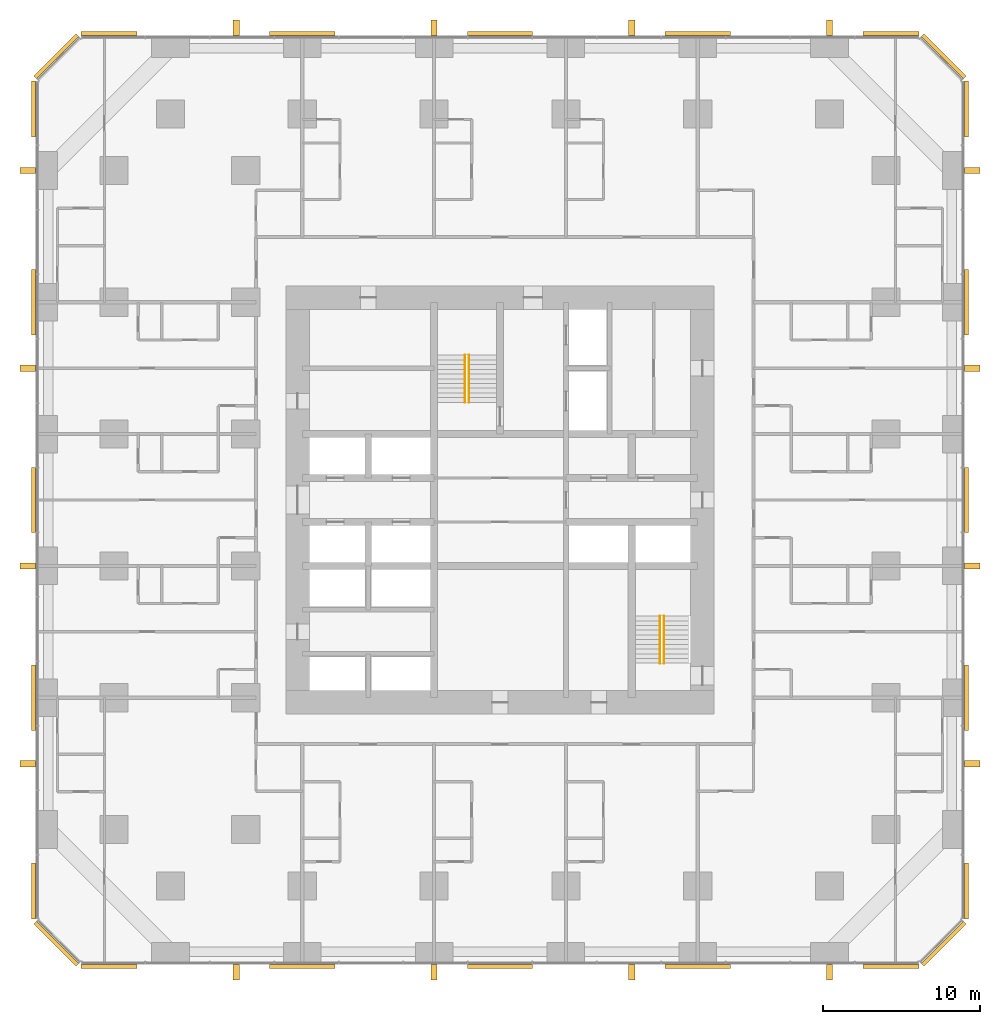
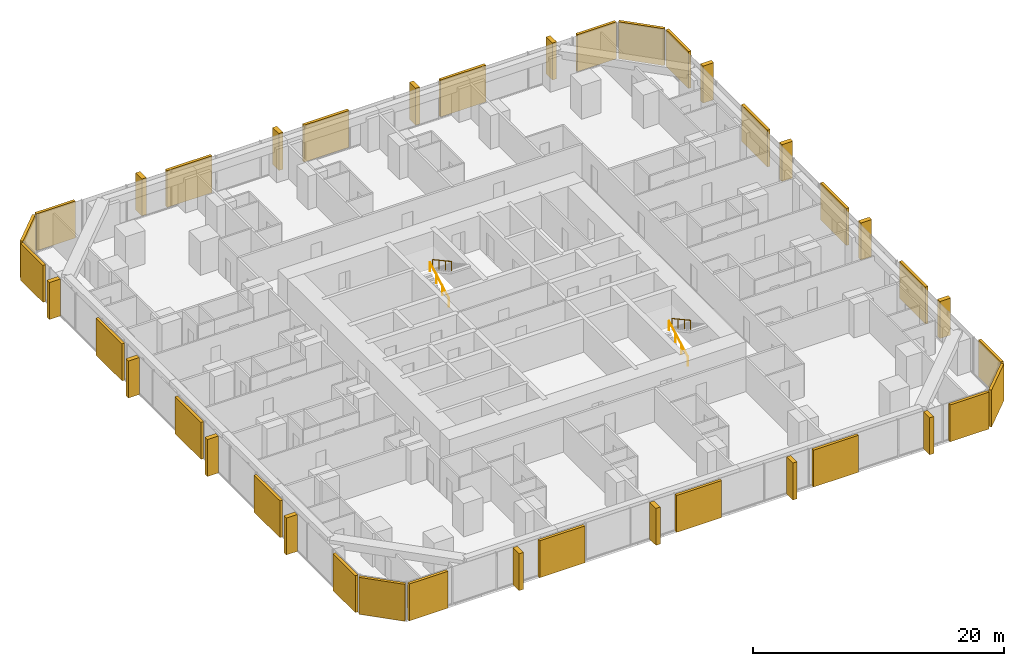
# One storey, part 17 of 17: 24 coverings, 16 shading devices, 4 railings.
"""IFC4 building model written with IfcOpenShell, lengths in metres."""

from ifc_helpers import new_model, si_unit, direction, frame, origin, origin_2d, place, context, subcontext, project, spatial, rectangle, circle, extrude, material, layer, layer_set, type_object, element, save


model = new_model("IFC4")

# Units and contexts
model_context = context("Model", 3, precision=1e-05, world=origin(), true_north=direction((0.0, 1.0)))
body_context = subcontext(model_context, "Body", "Model", "MODEL_VIEW")
ifc_project = project(units=[si_unit("LENGTHUNIT", "METRE"), si_unit("AREAUNIT", "SQUARE_METRE"), si_unit("VOLUMEUNIT", "CUBIC_METRE"), si_unit("PLANEANGLEUNIT", "RADIAN"), si_unit("MASSUNIT", "GRAM", prefix="KILO")], contexts=[model_context])

# Site, building, storey
site_placement = place(None, origin())
site = spatial("IfcSite", under=ifc_project, at=site_placement, CompositionType="ELEMENT")
building_placement = place(site_placement, origin())
building = spatial("IfcBuilding", under=site, at=building_placement, Name="Dunama Terrace Hotel", CompositionType="ELEMENT")
storey_placement = place(building_placement, frame((0.0, 0.0, 55.800048828125)))
storey = spatial("IfcBuildingStorey", under=building, at=storey_placement, Name="L13", CompositionType="ELEMENT", Elevation=55.800048828125)

# Railings
ifc_material_1 = material(Name="Stainless steel handrail", Category="steel")
railing_type = type_object("IfcRailingType", Name="Stair handrail 900", PredefinedType="HANDRAIL", material=ifc_material_1)
railing_1_placement = place(storey_placement, frame((27.175048828125, 35.625, 0.16357421875)))
element("IfcRailing", 1, at=railing_1_placement, inside=storey, type_object=railing_type, Name="Handrail ST1 L13", PredefinedType="HANDRAIL", context=body_context, shape_type="SweptSolid", body=[
    extrude(circle(Radius=0.02392578125, at=origin_2d()), frame((0.0, 0.0, 0.8759765625), z_axis=(0.0, 0.877881921179, 0.478877158013), x_axis=(-1.0, 0.0, 0.0)), (0.0, 0.0, 1.0), 3.417236328125),
    extrude(circle(Radius=0.02099609375, at=origin_2d()), origin(), (0.0, 0.0, 1.0), 0.851806640625),
    extrude(circle(Radius=0.02099609375, at=origin_2d()), frame((0.0, 1.0, 0.54541015625)), (0.0, 0.0, 1.0), 0.851806640625),
    extrude(circle(Radius=0.02099609375, at=origin_2d()), frame((0.0, 2.0, 1.091064453125)), (0.0, 0.0, 1.0), 0.851806640625),
    extrude(circle(Radius=0.02099609375, at=origin_2d()), frame((0.0, 3.0, 1.636474609375)), (0.0, 0.0, 1.0), 0.851806640625),
])
railing_2_placement = place(storey_placement, frame((27.425048828125, 38.625, 1.963623046875)))
element("IfcRailing", 2, at=railing_2_placement, inside=storey, type_object=railing_type, Name="Handrail ST1 L13", PredefinedType="HANDRAIL", context=body_context, shape_type="SweptSolid", body=[
    extrude(circle(Radius=0.02392578125, at=origin_2d()), frame((0.0, 0.0, 0.8759765625), z_axis=(0.0, -0.877911954615, 0.47882209634), x_axis=(1.0, 0.0, 0.0)), (0.0, 0.0, 1.0), 3.417236328125),
    extrude(circle(Radius=0.02099609375, at=origin_2d()), origin(), (0.0, 0.0, 1.0), 0.851806640625),
    extrude(circle(Radius=0.02099609375, at=origin_2d()), frame((0.0, -1.0, 0.54541015625)), (0.0, 0.0, 1.0), 0.851806640625),
    extrude(circle(Radius=0.02099609375, at=origin_2d()), frame((0.0, -2.0, 1.0908203125)), (0.0, 0.0, 1.0), 0.851806640625),
    extrude(circle(Radius=0.02099609375, at=origin_2d()), frame((0.0, -3.0, 1.63623046875)), (0.0, 0.0, 1.0), 0.851806640625),
])
railing_3_placement = place(storey_placement, frame((39.60009765625, 19.0, 0.16357421875)))
element("IfcRailing", 3, at=railing_3_placement, inside=storey, type_object=railing_type, Name="Handrail ST2 L13", PredefinedType="HANDRAIL", context=body_context, shape_type="SweptSolid", body=[
    extrude(circle(Radius=0.02392578125, at=origin_2d()), frame((0.0, 0.0, 0.8759765625), z_axis=(0.0, 0.877881921179, 0.478877158013), x_axis=(-1.0, 0.0, 0.0)), (0.0, 0.0, 1.0), 3.417236328125),
    extrude(circle(Radius=0.02099609375, at=origin_2d()), origin(), (0.0, 0.0, 1.0), 0.851806640625),
    extrude(circle(Radius=0.02099609375, at=origin_2d()), frame((0.0, 1.0, 0.54541015625)), (0.0, 0.0, 1.0), 0.851806640625),
    extrude(circle(Radius=0.02099609375, at=origin_2d()), frame((0.0, 2.0, 1.091064453125)), (0.0, 0.0, 1.0), 0.851806640625),
    extrude(circle(Radius=0.02099609375, at=origin_2d()), frame((0.0, 3.0, 1.636474609375)), (0.0, 0.0, 1.0), 0.851806640625),
])
railing_4_placement = place(storey_placement, frame((39.85009765625, 22.0, 1.963623046875)))
element("IfcRailing", 4, at=railing_4_placement, inside=storey, type_object=railing_type, Name="Handrail ST2 L13", PredefinedType="HANDRAIL", context=body_context, shape_type="SweptSolid", body=[
    extrude(circle(Radius=0.02392578125, at=origin_2d()), frame((0.0, 0.0, 0.8759765625), z_axis=(0.0, -0.877911954615, 0.47882209634), x_axis=(1.0, 0.0, 0.0)), (0.0, 0.0, 1.0), 3.417236328125),
    extrude(circle(Radius=0.02099609375, at=origin_2d()), origin(), (0.0, 0.0, 1.0), 0.851806640625),
    extrude(circle(Radius=0.02099609375, at=origin_2d()), frame((0.0, -1.0, 0.54541015625)), (0.0, 0.0, 1.0), 0.851806640625),
    extrude(circle(Radius=0.02099609375, at=origin_2d()), frame((0.0, -2.0, 1.0908203125)), (0.0, 0.0, 1.0), 0.851806640625),
    extrude(circle(Radius=0.02099609375, at=origin_2d()), frame((0.0, -3.0, 1.63623046875)), (0.0, 0.0, 1.0), 0.851806640625),
])

# Coverings
ifc_material_2 = material(Name="Warm reconstituted stone panel", Category="masonry")
ifc_layer_1 = layer(ifc_material_2, 0.25)
ifc_layer_set_1 = layer_set([ifc_layer_1], Name="Stone diagonal panel")
covering_type = type_object("IfcCoveringType", Name="Stone diagonal panel", PredefinedType="CLADDING", material=ifc_layer_set_1)
covering_1_placement = place(storey_placement, frame((4.489990234375, -0.322998046875, 0.001953125), z_axis=(0.0, 0.0, 1.0), x_axis=(1.0, 0.0, 0.0)))
element("IfcCovering", 5, at=covering_1_placement, inside=storey, type_object=covering_type, Name="Stone diagonal panel L13", PredefinedType="CLADDING", context=body_context, shape_type="SweptSolid", body=[
    extrude(rectangle(XDim=3.570068359375, YDim=0.25, at=origin_2d()), origin(), (0.0, 0.0, 1.0), 3.595947265625),
])
for number, where, z_axis, x_axis, name in (
    (6, (16.800048828125, -0.322998046875, 0.001953125), (0.0, 0.0, 1.0), (1.0, 0.0, 0.0), "Stone diagonal panel L13"),
    (7, (29.39990234375, -0.322998046875, 0.001953125), (0.0, 0.0, 1.0), (1.0, 0.0, 0.0), "Stone diagonal panel L13"),
    (8, (42.0, -0.322998046875, 0.001953125), (0.0, 0.0, 1.0), (1.0, 0.0, 0.0), "Stone diagonal panel L13"),
):
    element("IfcCovering", number, at=place(storey_placement, frame(where, z_axis=z_axis, x_axis=x_axis)), inside=storey, type_object=covering_type, Name=name, PredefinedType="CLADDING", context=body_context, shape_type="SweptSolid", body=[
        extrude(rectangle(XDim=4.14990234375, YDim=0.25, at=origin_2d()), origin(), (0.0, 0.0, 1.0), 3.595947265625),
    ])
covering_2_placement = place(storey_placement, frame((54.31005859375, -0.322998046875, 0.001953125), z_axis=(0.0, 0.0, 1.0), x_axis=(1.0, 0.0, 0.0)))
element("IfcCovering", 9, at=covering_2_placement, inside=storey, type_object=covering_type, Name="Stone diagonal panel L13", PredefinedType="CLADDING", context=body_context, shape_type="SweptSolid", body=[
    extrude(rectangle(XDim=3.570068359375, YDim=0.25, at=origin_2d()), origin(), (0.0, 0.0, 1.0), 3.595947265625),
])
covering_3_placement = place(storey_placement, frame((57.678955078125, 1.12109375, 0.001953125), z_axis=(0.0, 0.0, 1.0), x_axis=(0.707106781187, 0.707106781187, 0.0)))
element("IfcCovering", 10, at=covering_3_placement, inside=storey, type_object=covering_type, Name="Stone diagonal panel L13", PredefinedType="CLADDING", context=body_context, shape_type="SweptSolid", body=[
    extrude(rectangle(XDim=3.808349609375, YDim=0.25, at=origin_2d()), origin(), (0.0, 0.0, 1.0), 3.595947265625),
])
covering_4_placement = place(storey_placement, frame((59.123046875, 4.489990234375, 0.001953125), z_axis=(0.0, 0.0, 1.0), x_axis=(0.0, 1.0, 0.0)))
element("IfcCovering", 11, at=covering_4_placement, inside=storey, type_object=covering_type, Name="Stone diagonal panel L13", PredefinedType="CLADDING", context=body_context, shape_type="SweptSolid", body=[
    extrude(rectangle(XDim=3.570068359375, YDim=0.25, at=origin_2d()), origin(), (0.0, 0.0, 1.0), 3.595947265625),
])
for number, where, z_axis, x_axis, name in (
    (12, (59.123046875, 16.800048828125, 0.001953125), (0.0, 0.0, 1.0), (0.0, 1.0, 0.0), "Stone diagonal panel L13"),
    (13, (59.123046875, 29.39990234375, 0.001953125), (0.0, 0.0, 1.0), (0.0, 1.0, 0.0), "Stone diagonal panel L13"),
    (14, (59.123046875, 42.0, 0.001953125), (0.0, 0.0, 1.0), (0.0, 1.0, 0.0), "Stone diagonal panel L13"),
):
    element("IfcCovering", number, at=place(storey_placement, frame(where, z_axis=z_axis, x_axis=x_axis)), inside=storey, type_object=covering_type, Name=name, PredefinedType="CLADDING", context=body_context, shape_type="SweptSolid", body=[
        extrude(rectangle(XDim=4.14990234375, YDim=0.25, at=origin_2d()), origin(), (0.0, 0.0, 1.0), 3.595947265625),
    ])
covering_5_placement = place(storey_placement, frame((59.123046875, 54.31005859375, 0.001953125), z_axis=(0.0, 0.0, 1.0), x_axis=(0.0, 1.0, 0.0)))
element("IfcCovering", 15, at=covering_5_placement, inside=storey, type_object=covering_type, Name="Stone diagonal panel L13", PredefinedType="CLADDING", context=body_context, shape_type="SweptSolid", body=[
    extrude(rectangle(XDim=3.570068359375, YDim=0.25, at=origin_2d()), origin(), (0.0, 0.0, 1.0), 3.595947265625),
])
covering_6_placement = place(storey_placement, frame((57.678955078125, 57.678955078125, 0.001953125), z_axis=(0.0, 0.0, 1.0), x_axis=(-0.707106781187, 0.707106781187, 0.0)))
element("IfcCovering", 16, at=covering_6_placement, inside=storey, type_object=covering_type, Name="Stone diagonal panel L13", PredefinedType="CLADDING", context=body_context, shape_type="SweptSolid", body=[
    extrude(rectangle(XDim=3.808349609375, YDim=0.25, at=origin_2d()), origin(), (0.0, 0.0, 1.0), 3.595947265625),
])
covering_7_placement = place(storey_placement, frame((54.31005859375, 59.123046875, 0.001953125), z_axis=(0.0, 0.0, 1.0), x_axis=(-1.0, 0.0, 0.0)))
element("IfcCovering", 17, at=covering_7_placement, inside=storey, type_object=covering_type, Name="Stone diagonal panel L13", PredefinedType="CLADDING", context=body_context, shape_type="SweptSolid", body=[
    extrude(rectangle(XDim=3.570068359375, YDim=0.25, at=origin_2d()), origin(), (0.0, 0.0, 1.0), 3.595947265625),
])
for number, where, z_axis, x_axis, name in (
    (18, (42.0, 59.123046875, 0.001953125), (0.0, 0.0, 1.0), (-1.0, 0.0, 0.0), "Stone diagonal panel L13"),
    (19, (29.39990234375, 59.123046875, 0.001953125), (0.0, 0.0, 1.0), (-1.0, 0.0, 0.0), "Stone diagonal panel L13"),
    (20, (16.800048828125, 59.123046875, 0.001953125), (0.0, 0.0, 1.0), (-1.0, 0.0, 0.0), "Stone diagonal panel L13"),
):
    element("IfcCovering", number, at=place(storey_placement, frame(where, z_axis=z_axis, x_axis=x_axis)), inside=storey, type_object=covering_type, Name=name, PredefinedType="CLADDING", context=body_context, shape_type="SweptSolid", body=[
        extrude(rectangle(XDim=4.14990234375, YDim=0.25, at=origin_2d()), origin(), (0.0, 0.0, 1.0), 3.595947265625),
    ])
covering_8_placement = place(storey_placement, frame((4.489990234375, 59.123046875, 0.001953125), z_axis=(0.0, 0.0, 1.0), x_axis=(-1.0, 0.0, 0.0)))
element("IfcCovering", 21, at=covering_8_placement, inside=storey, type_object=covering_type, Name="Stone diagonal panel L13", PredefinedType="CLADDING", context=body_context, shape_type="SweptSolid", body=[
    extrude(rectangle(XDim=3.570068359375, YDim=0.25, at=origin_2d()), origin(), (0.0, 0.0, 1.0), 3.595947265625),
])
covering_9_placement = place(storey_placement, frame((1.12109375, 57.678955078125, 0.001953125), z_axis=(0.0, 0.0, 1.0), x_axis=(-0.707106781187, -0.707106781187, 0.0)))
element("IfcCovering", 22, at=covering_9_placement, inside=storey, type_object=covering_type, Name="Stone diagonal panel L13", PredefinedType="CLADDING", context=body_context, shape_type="SweptSolid", body=[
    extrude(rectangle(XDim=3.808349609375, YDim=0.25, at=origin_2d()), origin(), (0.0, 0.0, 1.0), 3.595947265625),
])
covering_10_placement = place(storey_placement, frame((-0.322998046875, 54.31005859375, 0.001953125), z_axis=(0.0, 0.0, 1.0), x_axis=(0.0, -1.0, 0.0)))
element("IfcCovering", 23, at=covering_10_placement, inside=storey, type_object=covering_type, Name="Stone diagonal panel L13", PredefinedType="CLADDING", context=body_context, shape_type="SweptSolid", body=[
    extrude(rectangle(XDim=3.570068359375, YDim=0.25, at=origin_2d()), origin(), (0.0, 0.0, 1.0), 3.595947265625),
])
for number, where, z_axis, x_axis, name in (
    (24, (-0.322998046875, 42.0, 0.001953125), (0.0, 0.0, 1.0), (0.0, -1.0, 0.0), "Stone diagonal panel L13"),
    (25, (-0.322998046875, 29.39990234375, 0.001953125), (0.0, 0.0, 1.0), (0.0, -1.0, 0.0), "Stone diagonal panel L13"),
    (26, (-0.322998046875, 16.800048828125, 0.001953125), (0.0, 0.0, 1.0), (0.0, -1.0, 0.0), "Stone diagonal panel L13"),
):
    element("IfcCovering", number, at=place(storey_placement, frame(where, z_axis=z_axis, x_axis=x_axis)), inside=storey, type_object=covering_type, Name=name, PredefinedType="CLADDING", context=body_context, shape_type="SweptSolid", body=[
        extrude(rectangle(XDim=4.14990234375, YDim=0.25, at=origin_2d()), origin(), (0.0, 0.0, 1.0), 3.595947265625),
    ])
covering_11_placement = place(storey_placement, frame((-0.322998046875, 4.489990234375, 0.001953125), z_axis=(0.0, 0.0, 1.0), x_axis=(0.0, -1.0, 0.0)))
element("IfcCovering", 27, at=covering_11_placement, inside=storey, type_object=covering_type, Name="Stone diagonal panel L13", PredefinedType="CLADDING", context=body_context, shape_type="SweptSolid", body=[
    extrude(rectangle(XDim=3.570068359375, YDim=0.25, at=origin_2d()), origin(), (0.0, 0.0, 1.0), 3.595947265625),
])
covering_12_placement = place(storey_placement, frame((1.12109375, 1.12109375, 0.001953125), z_axis=(0.0, 0.0, 1.0), x_axis=(0.707106781187, -0.707106781187, 0.0)))
element("IfcCovering", 28, at=covering_12_placement, inside=storey, type_object=covering_type, Name="Stone diagonal panel L13", PredefinedType="CLADDING", context=body_context, shape_type="SweptSolid", body=[
    extrude(rectangle(XDim=3.808349609375, YDim=0.25, at=origin_2d()), origin(), (0.0, 0.0, 1.0), 3.595947265625),
])

# Shading devices
ifc_material_3 = material(Name="Warm reconstituted stone fin", Category="masonry")
ifc_layer_2 = layer(ifc_material_3, 0.39990234375)
ifc_layer_set_2 = layer_set([ifc_layer_2], Name="Warm stone fin 400x1000")
shading_device_type = type_object("IfcShadingDeviceType", Name="Warm stone fin 400x1000", PredefinedType="USERDEFINED", material=ifc_layer_set_2)
for number, where, z_axis, x_axis, name in (
    (29, (12.60009765625, -0.68798828125, 0.0), (0.0, 0.0, 1.0), (1.0, 0.0, 0.0), "Stone fin"),
    (30, (25.199951171875, -0.68798828125, 0.0), (0.0, 0.0, 1.0), (1.0, 0.0, 0.0), "Stone fin"),
    (31, (37.800048828125, -0.68798828125, 0.0), (0.0, 0.0, 1.0), (1.0, 0.0, 0.0), "Stone fin"),
    (32, (50.39990234375, -0.68798828125, 0.0), (0.0, 0.0, 1.0), (1.0, 0.0, 0.0), "Stone fin"),
    (33, (59.488037109375, 12.60009765625, 0.0), (0.0, 0.0, 1.0), (0.0, 1.0, 0.0), "Stone fin"),
    (34, (59.488037109375, 25.199951171875, 0.0), (0.0, 0.0, 1.0), (0.0, 1.0, 0.0), "Stone fin"),
    (35, (59.488037109375, 37.800048828125, 0.0), (0.0, 0.0, 1.0), (0.0, 1.0, 0.0), "Stone fin"),
    (36, (59.488037109375, 50.39990234375, 0.0), (0.0, 0.0, 1.0), (0.0, 1.0, 0.0), "Stone fin"),
    (37, (50.39990234375, 59.488037109375, 0.0), (0.0, 0.0, 1.0), (-1.0, 0.0, 0.0), "Stone fin"),
    (38, (37.800048828125, 59.488037109375, 0.0), (0.0, 0.0, 1.0), (-1.0, 0.0, 0.0), "Stone fin"),
    (39, (25.199951171875, 59.488037109375, 0.0), (0.0, 0.0, 1.0), (-1.0, 0.0, 0.0), "Stone fin"),
    (40, (12.60009765625, 59.488037109375, 0.0), (0.0, 0.0, 1.0), (-1.0, 0.0, 0.0), "Stone fin"),
    (41, (-0.68798828125, 50.39990234375, 0.0), (0.0, 0.0, 1.0), (0.0, -1.0, 0.0), "Stone fin"),
    (42, (-0.68798828125, 37.800048828125, 0.0), (0.0, 0.0, 1.0), (0.0, -1.0, 0.0), "Stone fin"),
    (43, (-0.68798828125, 25.199951171875, 0.0), (0.0, 0.0, 1.0), (0.0, -1.0, 0.0), "Stone fin"),
    (44, (-0.68798828125, 12.60009765625, 0.0), (0.0, 0.0, 1.0), (0.0, -1.0, 0.0), "Stone fin"),
):
    element("IfcShadingDevice", number, at=place(storey_placement, frame(where, z_axis=z_axis, x_axis=x_axis)), inside=storey, type_object=shading_device_type, Name=name, ObjectType="FIN", PredefinedType="USERDEFINED", context=body_context, shape_type="SweptSolid", body=[
        extrude(rectangle(XDim=0.39990234375, YDim=1.0, at=origin_2d()), origin(), (0.0, 0.0, 1.0), 3.60009765625),
    ])

save(model, "model.ifc")
